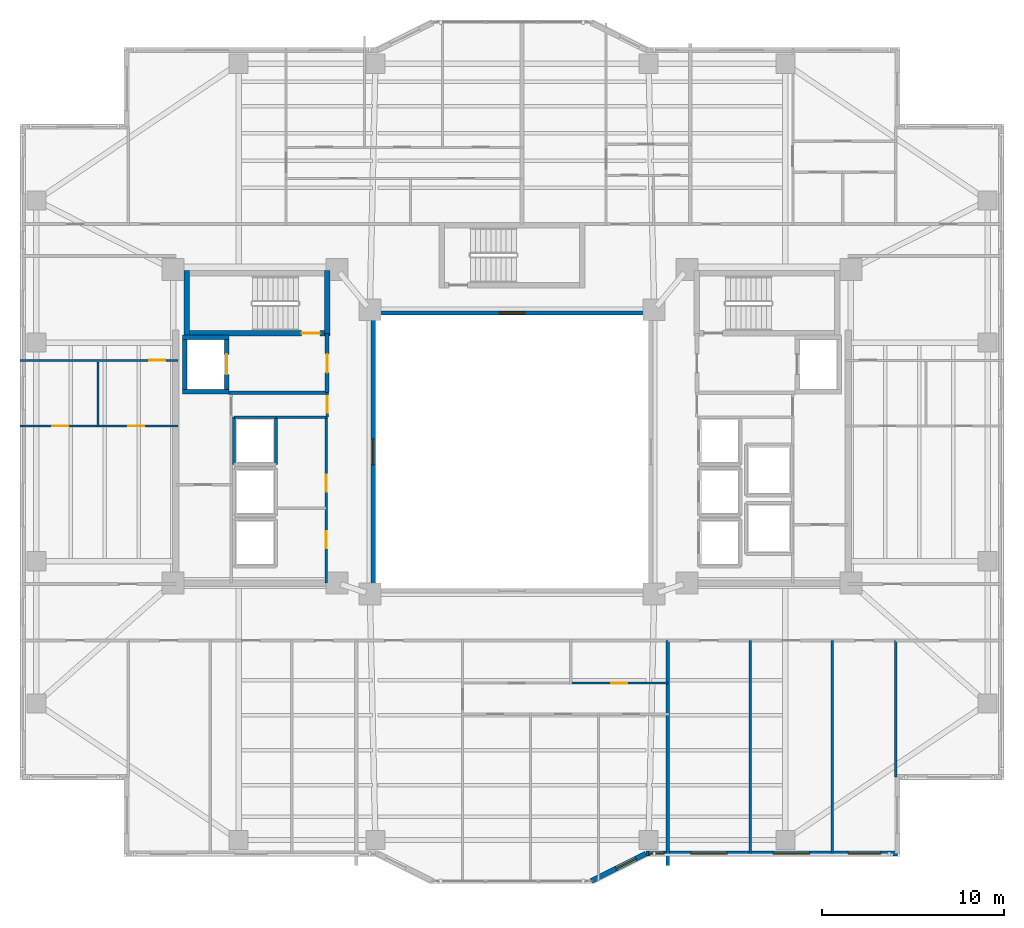
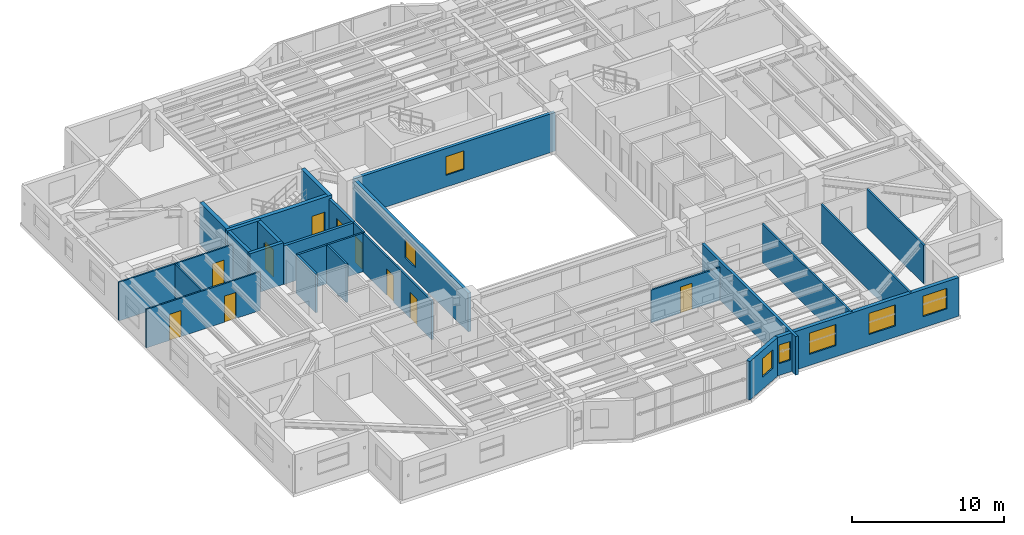
# One storey, part 7 of 18: 27 walls, 10 doors, 7 windows, 17 openings.
"""IFC4 building model written with IfcOpenShell, lengths in metres."""

from ifc_helpers import new_model, si_unit, direction, frame, frame_2d, origin, place, context, subcontext, project, spatial, rectangle, extrude, material, layer, layer_set, type_object, element, fill, save


model = new_model("IFC4")

# Units and contexts
model_context = context("Model", 3, precision=1e-05, world=origin(), true_north=direction((0.0, 1.0)))
body_context = subcontext(model_context, "Body", "Model", "MODEL_VIEW")
ifc_project = project(units=[si_unit("LENGTHUNIT", "METRE"), si_unit("AREAUNIT", "SQUARE_METRE"), si_unit("VOLUMEUNIT", "CUBIC_METRE"), si_unit("PLANEANGLEUNIT", "RADIAN"), si_unit("MASSUNIT", "GRAM", prefix="KILO")], contexts=[model_context])

# Site, building, storey
site_placement = place(None, origin())
site = spatial("IfcSite", under=ifc_project, at=site_placement, CompositionType="ELEMENT")
building_placement = place(site_placement, origin())
building = spatial("IfcBuilding", under=site, at=building_placement, Name="Tarnavaz Court Tower", CompositionType="ELEMENT")
storey_placement = place(building_placement, frame((0.0, 0.0, 95.050048828125)))
storey = spatial("IfcBuildingStorey", under=building, at=storey_placement, Name="L25", CompositionType="ELEMENT", Elevation=95.050048828125)

# Wall
ifc_material_1 = material(Name="Concrete C60/75", Category="concrete")
ifc_layer_1 = layer(ifc_material_1, 0.25)
ifc_layer_set_1 = layer_set([ifc_layer_1], Name="Concrete C60/75")
wall_type_1 = type_object("IfcWallType", Name="WL-CORE-250-C60", PredefinedType="SHEAR", material=ifc_layer_set_1)
wall_1_placement = place(storey_placement, frame((-17.949951171875, 3.175048828125, 0.0), z_axis=(0.0, 0.0, 1.0), x_axis=(0.0, 1.0, 0.0)))
element("IfcWall", 1, at=wall_1_placement, inside=storey, type_object=wall_type_1, Name="L25 Lift FL-W1 Shaft Wall 017", PredefinedType="SHEAR", context=body_context, shape_type="SweptSolid", body=[
    extrude(rectangle(XDim=3.25, YDim=0.25, at=frame_2d((1.625, 0.0))), origin(), (0.0, 0.0, 1.0), 3.349853515625),
])

# Wall, opening, door
wall_2_placement = place(storey_placement, frame((-15.64990234375, 3.175048828125, 0.0), z_axis=(0.0, 0.0, 1.0), x_axis=(0.0, 1.0, 0.0)))
wall_2 = element("IfcWall", 2, at=wall_2_placement, inside=storey, type_object=wall_type_1, Name="L25 Lift FL-W1 Shaft Wall 018", PredefinedType="SHEAR", context=body_context, shape_type="SweptSolid", body=[
    extrude(rectangle(XDim=3.25, YDim=0.25, at=frame_2d((1.625, 0.0))), origin(), (0.0, 0.0, 1.0), 3.349853515625),
])
opening_1_placement = place(wall_2_placement, frame((1.074951171875, 0.0, 0.0)))
opening_1 = element("IfcOpeningElement", 3, at=opening_1_placement, cuts=wall_2, Name="Opening LD1", PredefinedType="OPENING", context=body_context, shape_type="SweptSolid", body=[
    extrude(rectangle(XDim=1.10009765625, YDim=2.14990234375, at=frame_2d((0.550048828125, 1.074951171875))), frame((0.0, 0.135009765625, 0.0), z_axis=(0.0, -1.0, 0.0), x_axis=(1.0, 0.0, 0.0)), (0.0, 0.0, 1.0), 0.27001953125),
])
ifc_material_2 = material(Name="Stainless Steel", Category="steel")
door_type_1 = type_object("IfcDoorType", Name="DR-LD-1100", OperationType="NOTDEFINED", PredefinedType="DOOR", material=ifc_material_2)
door_1_placement = place(opening_1_placement, origin())
door_1 = element("IfcDoor", 4, at=door_1_placement, inside=storey, type_object=door_type_1, Name="L25 Lift Landing Door LD-FL-W1", OperationType="SLIDING_TO_LEFT", OverallHeight=2.14990234375, OverallWidth=1.10009765625, PredefinedType="DOOR", context=body_context, shape_type="SweptSolid", body=[
    extrude(rectangle(XDim=1.10009765625, YDim=2.14990234375, at=frame_2d((0.550048828125, 1.074951171875))), frame((0.0, 0.02490234375, 0.0), z_axis=(0.0, -1.0, 0.0), x_axis=(1.0, 0.0, 0.0)), (0.0, 0.0, 1.0), 0.050048828125),
])
fill(opening_1, door_1)

# Walls
for number, where, z_axis, x_axis, name in (
    (5, (-18.074951171875, 3.300048828125, 0.0), (0.0, 0.0, 1.0), (1.0, 0.0, 0.0), "L25 Lift FL-W1 Shaft Wall 019"),
    (6, (-18.074951171875, 6.300048828125, 0.0), (0.0, 0.0, 1.0), (1.0, 0.0, 0.0), "L25 Lift FL-W1 Shaft Wall 020"),
):
    element("IfcWall", number, at=place(storey_placement, frame(where, z_axis=z_axis, x_axis=x_axis)), inside=storey, type_object=wall_type_1, Name=name, PredefinedType="SHEAR", context=body_context, shape_type="SweptSolid", body=[
        extrude(rectangle(XDim=2.550048828125, YDim=0.25, at=frame_2d((1.27490234375, 0.0))), origin(), (0.0, 0.0, 1.0), 3.349853515625),
    ])

# Wall, opening, door
ifc_layer_2 = layer(ifc_material_1, 0.300048828125)
ifc_layer_set_2 = layer_set([ifc_layer_2], Name="Concrete C60/75")
wall_type_2 = type_object("IfcWallType", Name="WL-CORE-300-C60", PredefinedType="SHEAR", material=ifc_layer_set_2)
wall_3_placement = place(storey_placement, frame((-18.0, 6.5, 0.0), z_axis=(0.0, 0.0, 1.0), x_axis=(1.0, 0.0, 0.0)))
wall_3 = element("IfcWall", 7, at=wall_3_placement, inside=storey, type_object=wall_type_2, Name="L25 West Stair Core Wall 002", PredefinedType="SHEAR", context=body_context, shape_type="SweptSolid", body=[
    extrude(rectangle(XDim=8.0, YDim=0.300048828125, at=frame_2d((4.0, 0.0))), origin(), (0.0, 0.0, 1.0), 3.349853515625),
])
opening_2_placement = place(wall_3_placement, frame((6.449951171875, 0.0, 0.0)))
opening_2 = element("IfcOpeningElement", 8, at=opening_2_placement, cuts=wall_3, Name="Opening D01", PredefinedType="OPENING", context=body_context, shape_type="SweptSolid", body=[
    extrude(rectangle(XDim=1.0, YDim=2.14990234375, at=frame_2d((0.5, 1.074951171875))), frame((0.0, 0.159912109375, 0.0), z_axis=(0.0, -1.0, 0.0), x_axis=(1.0, 0.0, 0.0)), (0.0, 0.0, 1.0), 0.320068359375),
])
ifc_material_3 = material(Name="Fire-Rated Hardwood Timber Core", Category="wood")
door_type_2 = type_object("IfcDoorType", Name="DR-FD90-1000", OperationType="NOTDEFINED", PredefinedType="DOOR", material=ifc_material_3)
door_2_placement = place(opening_2_placement, origin())
door_2 = element("IfcDoor", 9, at=door_2_placement, inside=storey, type_object=door_type_2, Name="L25 Stair ST-W1 Exit Door", OperationType="SINGLE_SWING_LEFT", OverallHeight=2.14990234375, OverallWidth=1.0, PredefinedType="DOOR", context=body_context, shape_type="SweptSolid", body=[
    extrude(rectangle(XDim=1.0, YDim=2.14990234375, at=frame_2d((0.5, 1.074951171875))), frame((0.0, 0.02490234375, 0.0), z_axis=(0.0, -1.0, 0.0), x_axis=(1.0, 0.0, 0.0)), (0.0, 0.0, 1.0), 0.050048828125),
])
fill(opening_2, door_2)

# Walls
for number, where, z_axis, x_axis, name in (
    (10, (-17.85009765625, 6.35009765625, 0.0), (0.0, 0.0, 1.0), (0.0, 1.0, 0.0), "L25 West Stair Core Wall 003"),
    (11, (-10.14990234375, 6.35009765625, 0.0), (0.0, 0.0, 1.0), (0.0, 1.0, 0.0), "L25 West Stair Core Wall 004"),
):
    element("IfcWall", number, at=place(storey_placement, frame(where, z_axis=z_axis, x_axis=x_axis)), inside=storey, type_object=wall_type_2, Name=name, PredefinedType="SHEAR", context=body_context, shape_type="SweptSolid", body=[
        extrude(rectangle(XDim=3.58984375, YDim=0.300048828125, at=frame_2d((1.794921875, 0.0))), origin(), (0.0, 0.0, 1.0), 3.349853515625),
    ])

# Wall, openings, windows
ifc_material_4 = material(Name="Precast Concrete C40/50", Category="concrete")
ifc_layer_3 = layer(ifc_material_4, 0.280029296875)
ifc_layer_set_3 = layer_set([ifc_layer_3], Name="Precast Concrete C40/50")
wall_type_3 = type_object("IfcWallType", Name="WL-EXT-280", PredefinedType="SOLIDWALL", material=ifc_layer_set_3)
wall_4_placement = place(storey_placement, frame((21.14990234375, -22.050048828125, 0.0), z_axis=(0.0, 0.0, 1.0), x_axis=(-1.0, 0.0, 0.0)))
wall_4 = element("IfcWall", 12, at=wall_4_placement, inside=storey, type_object=wall_type_3, Name="L25 Exterior Terracotta Facade Wall 15", PredefinedType="SOLIDWALL", context=body_context, shape_type="SweptSolid", body=[
    extrude(rectangle(XDim=13.7998046875, YDim=0.280029296875, at=frame_2d((6.89990234375, 0.0))), origin(), (0.0, 0.0, 1.0), 3.099853515625),
])
opening_3_placement = place(wall_4_placement, frame((0.906494140625, 0.0, 0.89990234375)))
opening_3 = element("IfcOpeningElement", 13, at=opening_3_placement, cuts=wall_4, Name="Opening W01", PredefinedType="OPENING", context=body_context, shape_type="SweptSolid", body=[
    extrude(rectangle(XDim=1.800048828125, YDim=1.64990234375, at=frame_2d((0.89990234375, 0.824951171875))), frame((0.0, 0.14990234375, 0.0), z_axis=(0.0, -1.0, 0.0), x_axis=(1.0, 0.0, 0.0)), (0.0, 0.0, 1.0), 0.300048828125),
])
opening_4_placement = place(wall_4_placement, frame((4.821044921875, 0.0, 0.89990234375)))
opening_4 = element("IfcOpeningElement", 14, at=opening_4_placement, cuts=wall_4, Name="Opening W08", PredefinedType="OPENING", context=body_context, shape_type="SweptSolid", body=[
    extrude(rectangle(XDim=2.0, YDim=1.699951171875, at=frame_2d((1.0, 0.85009765625))), frame((0.0, 0.14990234375, 0.0), z_axis=(0.0, -1.0, 0.0), x_axis=(1.0, 0.0, 0.0)), (0.0, 0.0, 1.0), 0.300048828125),
])
opening_5_placement = place(wall_4_placement, frame((9.33740234375, 0.0, 0.89990234375)))
opening_5 = element("IfcOpeningElement", 15, at=opening_5_placement, cuts=wall_4, Name="Opening W08", PredefinedType="OPENING", context=body_context, shape_type="SweptSolid", body=[
    extrude(rectangle(XDim=2.0, YDim=1.699951171875, at=frame_2d((1.0, 0.85009765625))), frame((0.0, 0.14990234375, 0.0), z_axis=(0.0, -1.0, 0.0), x_axis=(1.0, 0.0, 0.0)), (0.0, 0.0, 1.0), 0.300048828125),
])
opening_6_placement = place(wall_4_placement, frame((12.802978515625, 0.0, 0.949951171875)))
opening_6 = element("IfcOpeningElement", 16, at=opening_6_placement, cuts=wall_4, Name="Opening W15", PredefinedType="OPENING", context=body_context, shape_type="SweptSolid", body=[
    extrude(rectangle(XDim=0.85009765625, YDim=1.5, at=frame_2d((0.425048828125, 0.75))), frame((0.0, 0.14990234375, 0.0), z_axis=(0.0, -1.0, 0.0), x_axis=(1.0, 0.0, 0.0)), (0.0, 0.0, 1.0), 0.300048828125),
])
ifc_material_5 = material(Name="Double-Glazed Solar Low-E Glass", Category="glass")
window_type_1 = type_object("IfcWindowType", Name="WN-APT-1800", PartitioningType="DOUBLE_PANEL_VERTICAL", PredefinedType="WINDOW", material=ifc_material_5)
window_1_placement = place(opening_3_placement, origin())
window_1 = element("IfcWindow", 17, at=window_1_placement, inside=storey, type_object=window_type_1, Name="L25 Resident Focus Seminar Room Window", OverallHeight=1.64990234375, OverallWidth=1.800048828125, PartitioningType="SINGLE_PANEL", PredefinedType="WINDOW", context=body_context, shape_type="SweptSolid", body=[
    extrude(rectangle(XDim=1.800048828125, YDim=1.64990234375, at=frame_2d((0.89990234375, 0.824951171875))), frame((0.0, 0.030029296875, 0.0), z_axis=(0.0, -1.0, 0.0), x_axis=(1.0, 0.0, 0.0)), (0.0, 0.0, 1.0), 0.06005859375),
])
fill(opening_3, window_1)
window_type_2 = type_object("IfcWindowType", Name="WN-APT-2000", PartitioningType="DOUBLE_PANEL_VERTICAL", PredefinedType="WINDOW", material=ifc_material_5)
window_2_placement = place(opening_4_placement, origin())
window_2 = element("IfcWindow", 18, at=window_2_placement, inside=storey, type_object=window_type_2, Name="L25 Quiet Reading Library Room Window", OverallHeight=1.699951171875, OverallWidth=2.0, PartitioningType="SINGLE_PANEL", PredefinedType="WINDOW", context=body_context, shape_type="SweptSolid", body=[
    extrude(rectangle(XDim=2.0, YDim=1.699951171875, at=frame_2d((1.0, 0.85009765625))), frame((0.0, 0.030029296875, 0.0), z_axis=(0.0, -1.0, 0.0), x_axis=(1.0, 0.0, 0.0)), (0.0, 0.0, 1.0), 0.06005859375),
])
fill(opening_4, window_2)
window_3_placement = place(opening_5_placement, origin())
window_3 = element("IfcWindow", 19, at=window_3_placement, inside=storey, type_object=window_type_2, Name="L25 Resident Co-Working Study Room Window", OverallHeight=1.699951171875, OverallWidth=2.0, PartitioningType="SINGLE_PANEL", PredefinedType="WINDOW", context=body_context, shape_type="SweptSolid", body=[
    extrude(rectangle(XDim=2.0, YDim=1.699951171875, at=frame_2d((1.0, 0.85009765625))), frame((0.0, 0.030029296875, 0.0), z_axis=(0.0, -1.0, 0.0), x_axis=(1.0, 0.0, 0.0)), (0.0, 0.0, 1.0), 0.06005859375),
])
fill(opening_5, window_3)
window_type_3 = type_object("IfcWindowType", Name="WN-APT-850", PartitioningType="SINGLE_PANEL", PredefinedType="WINDOW", material=ifc_material_5)
window_4_placement = place(opening_6_placement, origin())
window_4 = element("IfcWindow", 20, at=window_4_placement, inside=storey, type_object=window_type_3, Name="L25 Flat 04 Bedroom 3 Window", OverallHeight=1.5, OverallWidth=0.85009765625, PartitioningType="SINGLE_PANEL", PredefinedType="WINDOW", context=body_context, shape_type="SweptSolid", body=[
    extrude(rectangle(XDim=0.85009765625, YDim=1.5, at=frame_2d((0.425048828125, 0.75))), frame((0.0, 0.030029296875, 0.0), z_axis=(0.0, -1.0, 0.0), x_axis=(1.0, 0.0, 0.0)), (0.0, 0.0, 1.0), 0.06005859375),
])
fill(opening_6, window_4)

# Wall, opening, window
wall_5_placement = place(storey_placement, frame((7.35009765625, -22.050048828125, 0.0), z_axis=(0.0, 0.0, 1.0), x_axis=(-0.894427191, -0.4472135955, 0.0)))
wall_5 = element("IfcWall", 21, at=wall_5_placement, inside=storey, type_object=wall_type_3, Name="L25 Exterior Terracotta Facade Wall 16", PredefinedType="SOLIDWALL", context=body_context, shape_type="SweptSolid", body=[
    extrude(rectangle(XDim=3.35400390625, YDim=0.280029296875, at=frame_2d((1.677001953125, 0.0))), origin(), (0.0, 0.0, 1.0), 3.099853515625),
])
opening_7_placement = place(wall_5_placement, frame((0.62158203125, 0.0, 0.949951171875)))
opening_7 = element("IfcOpeningElement", 22, at=opening_7_placement, cuts=wall_5, Name="Opening W05", PredefinedType="OPENING", context=body_context, shape_type="SweptSolid", body=[
    extrude(rectangle(XDim=1.199951171875, YDim=1.5, at=frame_2d((0.60009765625, 0.75))), frame((0.0, 0.14990234375, 0.0), z_axis=(0.0, -1.0, 0.0), x_axis=(1.0, 0.0, 0.0)), (0.0, 0.0, 1.0), 0.300048828125),
])
window_type_4 = type_object("IfcWindowType", Name="WN-APT-1200", PartitioningType="SINGLE_PANEL", PredefinedType="WINDOW", material=ifc_material_5)
window_5_placement = place(opening_7_placement, origin())
window_5 = element("IfcWindow", 23, at=window_5_placement, inside=storey, type_object=window_type_4, Name="L25 Flat 04 Bedroom 3 Window", OverallHeight=1.5, OverallWidth=1.199951171875, PartitioningType="SINGLE_PANEL", PredefinedType="WINDOW", context=body_context, shape_type="SweptSolid", body=[
    extrude(rectangle(XDim=1.199951171875, YDim=1.5, at=frame_2d((0.60009765625, 0.75))), frame((0.0, 0.030029296875, 0.0), z_axis=(0.0, -1.0, 0.0), x_axis=(1.0, 0.0, 0.0)), (0.0, 0.0, 1.0), 0.06005859375),
])
fill(opening_7, window_5)

# Wall
ifc_material_6 = material(Name="Autoclaved Aerated Concrete Blockwork", Category="masonry")
ifc_layer_4 = layer(ifc_material_6, 0.199951171875)
ifc_layer_set_4 = layer_set([ifc_layer_4], Name="Autoclaved Aerated Concrete Blockwork")
wall_type_4 = type_object("IfcWallType", Name="WL-FIRE-200", PredefinedType="SOLIDWALL", material=ifc_layer_set_4)
wall_6_placement = place(storey_placement, frame((-15.550048828125, 3.25, 0.0), z_axis=(0.0, 0.0, 1.0), x_axis=(1.0, 0.0, 0.0)))
element("IfcWall", 24, at=wall_6_placement, inside=storey, type_object=wall_type_4, Name="L25 West Firefighting Lobby Wall 013", PredefinedType="SOLIDWALL", context=body_context, shape_type="SweptSolid", body=[
    extrude(rectangle(XDim=5.400146484375, YDim=0.199951171875, at=frame_2d((2.7001953125, 0.0))), origin(), (0.0, 0.0, 1.0), 3.099853515625),
])

# Wall, opening, door
wall_7_placement = place(storey_placement, frame((-10.14990234375, 3.25, 0.0), z_axis=(0.0, 0.0, 1.0), x_axis=(0.0, 1.0, 0.0)))
wall_7 = element("IfcWall", 25, at=wall_7_placement, inside=storey, type_object=wall_type_4, Name="L25 West Firefighting Lobby Wall 014", PredefinedType="SOLIDWALL", context=body_context, shape_type="SweptSolid", body=[
    extrude(rectangle(XDim=3.25, YDim=0.199951171875, at=frame_2d((1.625, 0.0))), origin(), (0.0, 0.0, 1.0), 3.099853515625),
])
opening_8_placement = place(wall_7_placement, frame((1.10009765625, 0.0, 0.0)))
opening_8 = element("IfcOpeningElement", 26, at=opening_8_placement, cuts=wall_7, Name="Opening D05", PredefinedType="OPENING", context=body_context, shape_type="SweptSolid", body=[
    extrude(rectangle(XDim=1.02001953125, YDim=2.14990234375, at=frame_2d((0.510009765625, 1.074951171875))), frame((0.0, 0.10986328125, 0.0), z_axis=(0.0, -1.0, 0.0), x_axis=(1.0, 0.0, 0.0)), (0.0, 0.0, 1.0), 0.219970703125),
])
door_type_3 = type_object("IfcDoorType", Name="DR-FD60-1000", OperationType="NOTDEFINED", PredefinedType="DOOR", material=ifc_material_3)
door_3_placement = place(opening_8_placement, origin())
door_3 = element("IfcDoor", 27, at=door_3_placement, inside=storey, type_object=door_type_3, Name="L25 West Firefighting Lobby Door", OperationType="SINGLE_SWING_RIGHT", OverallHeight=2.14990234375, OverallWidth=1.02001953125, PredefinedType="DOOR", context=body_context, shape_type="SweptSolid", body=[
    extrude(rectangle(XDim=1.02001953125, YDim=2.14990234375, at=frame_2d((0.510009765625, 1.074951171875))), frame((0.0, 0.02490234375, 0.0), z_axis=(0.0, -1.0, 0.0), x_axis=(1.0, 0.0, 0.0)), (0.0, 0.0, 1.0), 0.050048828125),
])
fill(opening_8, door_3)

# Wall
wall_8_placement = place(storey_placement, frame((8.550048828125, -22.7041015625, 0.0), z_axis=(0.0, 0.0, 1.0), x_axis=(0.0, 1.0, 0.0)))
element("IfcWall", 28, at=wall_8_placement, inside=storey, type_object=wall_type_4, Name="L25 Party Wall 099", PredefinedType="SOLIDWALL", context=body_context, shape_type="SweptSolid", body=[
    extrude(rectangle(XDim=12.35400390625, YDim=0.199951171875, at=frame_2d((6.177001953125, 0.0))), origin(), (0.0, 0.0, 1.0), 3.099853515625),
])

# Wall, opening, door
ifc_material_7 = material(Name="Moisture-Resistant Gypsum Board Partition", Category="masonry")
ifc_layer_5 = layer(ifc_material_7, 0.1201171875)
ifc_layer_set_5 = layer_set([ifc_layer_5], Name="Moisture-Resistant Gypsum Board Partition")
wall_type_5 = type_object("IfcWallType", Name="WL-PART-120", PredefinedType="PARTITIONING", material=ifc_layer_set_5)
wall_9_placement = place(storey_placement, frame((3.218994140625, -12.68994140625, 0.0), z_axis=(0.0, 0.0, 1.0), x_axis=(1.0, 0.0, 0.0)))
wall_9 = element("IfcWall", 29, at=wall_9_placement, inside=storey, type_object=wall_type_5, Name="L25 Interior Partition 103", PredefinedType="PARTITIONING", context=body_context, shape_type="SweptSolid", body=[
    extrude(rectangle(XDim=5.3310546875, YDim=0.1201171875, at=frame_2d((2.66552734375, 0.0))), origin(), (0.0, 0.0, 1.0), 2.635009765625),
])
opening_9_placement = place(wall_9_placement, frame((2.22607421875, 0.0, 0.0)))
opening_9 = element("IfcOpeningElement", 30, at=opening_9_placement, cuts=wall_9, Name="Opening D14", PredefinedType="OPENING", context=body_context, shape_type="SweptSolid", body=[
    extrude(rectangle(XDim=0.8798828125, YDim=2.10009765625, at=frame_2d((0.43994140625, 1.050048828125))), frame((0.0, 0.070068359375, 0.0), z_axis=(0.0, -1.0, 0.0), x_axis=(1.0, 0.0, 0.0)), (0.0, 0.0, 1.0), 0.14013671875),
])
ifc_material_8 = material(Name="Engineered Oak Timber", Category="wood")
door_type_4 = type_object("IfcDoorType", Name="DR-INT-900", OperationType="NOTDEFINED", PredefinedType="DOOR", material=ifc_material_8)
door_4_placement = place(opening_9_placement, origin())
door_4 = element("IfcDoor", 31, at=door_4_placement, inside=storey, type_object=door_type_4, Name="L25 Flat 04 Bathroom Door", OperationType="SINGLE_SWING_LEFT", OverallHeight=2.10009765625, OverallWidth=0.8798828125, PredefinedType="DOOR", context=body_context, shape_type="SweptSolid", body=[
    extrude(rectangle(XDim=0.8798828125, YDim=2.10009765625, at=frame_2d((0.43994140625, 1.050048828125))), frame((0.0, 0.02490234375, 0.0), z_axis=(0.0, -1.0, 0.0), x_axis=(1.0, 0.0, 0.0)), (0.0, 0.0, 1.0), 0.050048828125),
])
fill(opening_9, door_4)

# Wall, openings, doors
wall_10_placement = place(storey_placement, frame((-27.0, 1.419921875, 0.0), z_axis=(0.0, 0.0, 1.0), x_axis=(1.0, 0.0, 0.0)))
wall_10 = element("IfcWall", 32, at=wall_10_placement, inside=storey, type_object=wall_type_5, Name="L25 Interior Partition 120", PredefinedType="PARTITIONING", context=body_context, shape_type="SweptSolid", body=[
    extrude(rectangle(XDim=8.669921875, YDim=0.1201171875, at=frame_2d((4.3349609375, 0.0))), origin(), (0.0, 0.0, 1.0), 3.099853515625),
])
opening_10_placement = place(wall_10_placement, frame((1.762939453125, 0.0, 0.0)))
opening_10 = element("IfcOpeningElement", 33, at=opening_10_placement, cuts=wall_10, Name="Opening D14", PredefinedType="OPENING", context=body_context, shape_type="SweptSolid", body=[
    extrude(rectangle(XDim=0.8798828125, YDim=2.10009765625, at=frame_2d((0.43994140625, 1.050048828125))), frame((0.0, 0.070068359375, 0.0), z_axis=(0.0, -1.0, 0.0), x_axis=(1.0, 0.0, 0.0)), (0.0, 0.0, 1.0), 0.14013671875),
])
opening_11_placement = place(wall_10_placement, frame((5.927978515625, 0.0, 0.0)))
opening_11 = element("IfcOpeningElement", 34, at=opening_11_placement, cuts=wall_10, Name="Opening D14", PredefinedType="OPENING", context=body_context, shape_type="SweptSolid", body=[
    extrude(rectangle(XDim=0.8798828125, YDim=2.10009765625, at=frame_2d((0.43994140625, 1.050048828125))), frame((0.0, 0.070068359375, 0.0), z_axis=(0.0, -1.0, 0.0), x_axis=(1.0, 0.0, 0.0)), (0.0, 0.0, 1.0), 0.14013671875),
])
door_5_placement = place(opening_10_placement, origin())
door_5 = element("IfcDoor", 35, at=door_5_placement, inside=storey, type_object=door_type_4, Name="L25 Flat 05 Kitchen Door", OperationType="SINGLE_SWING_RIGHT", OverallHeight=2.10009765625, OverallWidth=0.8798828125, PredefinedType="DOOR", context=body_context, shape_type="SweptSolid", body=[
    extrude(rectangle(XDim=0.8798828125, YDim=2.10009765625, at=frame_2d((0.43994140625, 1.050048828125))), frame((0.0, 0.02490234375, 0.0), z_axis=(0.0, -1.0, 0.0), x_axis=(1.0, 0.0, 0.0)), (0.0, 0.0, 1.0), 0.050048828125),
])
fill(opening_10, door_5)
door_6_placement = place(opening_11_placement, origin())
door_6 = element("IfcDoor", 36, at=door_6_placement, inside=storey, type_object=door_type_4, Name="L25 Flat 05 Bathroom Door", OperationType="SINGLE_SWING_LEFT", OverallHeight=2.10009765625, OverallWidth=0.8798828125, PredefinedType="DOOR", context=body_context, shape_type="SweptSolid", body=[
    extrude(rectangle(XDim=0.8798828125, YDim=2.10009765625, at=frame_2d((0.43994140625, 1.050048828125))), frame((0.0, 0.02490234375, 0.0), z_axis=(0.0, -1.0, 0.0), x_axis=(1.0, 0.0, 0.0)), (0.0, 0.0, 1.0), 0.050048828125),
])
fill(opening_11, door_6)

# Wall, opening, door
wall_11_placement = place(storey_placement, frame((-27.0, 5.02001953125, 0.0), z_axis=(0.0, 0.0, 1.0), x_axis=(1.0, 0.0, 0.0)))
wall_11 = element("IfcWall", 37, at=wall_11_placement, inside=storey, type_object=wall_type_5, Name="L25 Interior Partition 121", PredefinedType="PARTITIONING", context=body_context, shape_type="SweptSolid", body=[
    extrude(rectangle(XDim=8.669921875, YDim=0.1201171875, at=frame_2d((4.3349609375, 0.0))), origin(), (0.0, 0.0, 1.0), 3.099853515625),
])
opening_12_placement = place(wall_11_placement, frame((7.10009765625, 0.0, 0.0)))
opening_12 = element("IfcOpeningElement", 38, at=opening_12_placement, cuts=wall_11, Name="Opening D14", PredefinedType="OPENING", context=body_context, shape_type="SweptSolid", body=[
    extrude(rectangle(XDim=0.8798828125, YDim=2.10009765625, at=frame_2d((0.43994140625, 1.050048828125))), frame((0.0, 0.070068359375, 0.0), z_axis=(0.0, -1.0, 0.0), x_axis=(1.0, 0.0, 0.0)), (0.0, 0.0, 1.0), 0.14013671875),
])
door_7_placement = place(opening_12_placement, origin())
door_7 = element("IfcDoor", 39, at=door_7_placement, inside=storey, type_object=door_type_4, Name="L25 Flat 05 Study Door", OperationType="SINGLE_SWING_RIGHT", OverallHeight=2.10009765625, OverallWidth=0.8798828125, PredefinedType="DOOR", context=body_context, shape_type="SweptSolid", body=[
    extrude(rectangle(XDim=0.8798828125, YDim=2.10009765625, at=frame_2d((0.43994140625, 1.050048828125))), frame((0.0, 0.02490234375, 0.0), z_axis=(0.0, -1.0, 0.0), x_axis=(1.0, 0.0, 0.0)), (0.0, 0.0, 1.0), 0.050048828125),
])
fill(opening_12, door_7)

# Walls
wall_12_placement = place(storey_placement, frame((-22.715087890625, 1.360107421875, 0.0), z_axis=(0.0, 0.0, 1.0), x_axis=(0.0, 1.0, 0.0)))
element("IfcWall", 40, at=wall_12_placement, inside=storey, type_object=wall_type_5, Name="L25 Interior Partition 122", PredefinedType="PARTITIONING", context=body_context, shape_type="SweptSolid", body=[
    extrude(rectangle(XDim=3.579833984375, YDim=0.1201171875, at=frame_2d((1.7900390625, 0.0))), origin(), (0.0, 0.0, 1.0), 3.099853515625),
])
ifc_material_9 = material(Name="Gypsum Plasterboard Acoustic Partition", Category="masonry")
ifc_layer_6 = layer(ifc_material_9, 0.139892578125)
ifc_layer_set_6 = layer_set([ifc_layer_6], Name="Gypsum Plasterboard Acoustic Partition")
wall_type_6 = type_object("IfcWallType", Name="WL-PART-150", PredefinedType="PARTITIONING", material=ifc_layer_set_6)
wall_13_placement = place(storey_placement, frame((-12.949951171875, 1.89990234375, 0.0), z_axis=(0.0, 0.0, 1.0), x_axis=(1.0, 0.0, 0.0)))
element("IfcWall", 41, at=wall_13_placement, inside=storey, type_object=wall_type_6, Name="L25 Interior Partition 061", PredefinedType="PARTITIONING", context=body_context, shape_type="SweptSolid", body=[
    extrude(rectangle(XDim=2.800048828125, YDim=0.139892578125, at=frame_2d((1.39990234375, 0.0))), origin(), (0.0, 0.0, 1.0), 3.099853515625),
])

# Wall, opening, door
wall_14_placement = place(storey_placement, frame((-10.14990234375, 1.919921875, 0.0), z_axis=(0.0, 0.0, 1.0), x_axis=(0.0, 1.0, 0.0)))
wall_14 = element("IfcWall", 42, at=wall_14_placement, inside=storey, type_object=wall_type_6, Name="L25 Interior Partition 062", PredefinedType="PARTITIONING", context=body_context, shape_type="SweptSolid", body=[
    extrude(rectangle(XDim=1.330078125, YDim=0.139892578125, at=frame_2d((0.6650390625, 0.0))), origin(), (0.0, 0.0, 1.0), 3.099853515625),
])
opening_13_placement = place(wall_14_placement, frame((0.219970703125, 0.0, 0.0)))
opening_13 = element("IfcOpeningElement", 43, at=opening_13_placement, cuts=wall_14, Name="Opening D09", PredefinedType="OPENING", context=body_context, shape_type="SweptSolid", body=[
    extrude(rectangle(XDim=0.89990234375, YDim=2.080078125, at=frame_2d((0.449951171875, 1.0400390625))), frame((0.0, 0.079833984375, 0.0), z_axis=(0.0, -1.0, 0.0), x_axis=(1.0, 0.0, 0.0)), (0.0, 0.0, 1.0), 0.159912109375),
])
door_type_5 = type_object("IfcDoorType", Name="DR-FD30-900", OperationType="NOTDEFINED", PredefinedType="DOOR", material=ifc_material_3)
door_8_placement = place(opening_13_placement, origin())
door_8 = element("IfcDoor", 44, at=door_8_placement, inside=storey, type_object=door_type_5, Name="L25 West Core Service Lobby Door", OperationType="SINGLE_SWING_LEFT", OverallHeight=2.080078125, OverallWidth=0.89990234375, PredefinedType="DOOR", context=body_context, shape_type="SweptSolid", body=[
    extrude(rectangle(XDim=0.89990234375, YDim=2.080078125, at=frame_2d((0.449951171875, 1.0400390625))), frame((0.0, 0.02490234375, 0.0), z_axis=(0.0, -1.0, 0.0), x_axis=(1.0, 0.0, 0.0)), (0.0, 0.0, 1.0), 0.050048828125),
])
fill(opening_13, door_8)

# Wall, openings, doors
wall_15_placement = place(storey_placement, frame((-10.199951171875, -7.199951171875, 0.0), z_axis=(0.0, 0.0, 1.0), x_axis=(0.0, 1.0, 0.0)))
wall_15 = element("IfcWall", 45, at=wall_15_placement, inside=storey, type_object=wall_type_6, Name="L25 West Reclaimed Core Wall 065", PredefinedType="PARTITIONING", context=body_context, shape_type="SweptSolid", body=[
    extrude(rectangle(XDim=9.119873046875, YDim=0.139892578125, at=frame_2d((4.56005859375, 0.0))), origin(), (0.0, 0.0, 1.0), 3.099853515625),
])
opening_14_placement = place(wall_15_placement, frame((1.89990234375, 0.0, 0.0)))
opening_14 = element("IfcOpeningElement", 46, at=opening_14_placement, cuts=wall_15, Name="Opening D08", PredefinedType="OPENING", context=body_context, shape_type="SweptSolid", body=[
    extrude(rectangle(XDim=0.949951171875, YDim=2.1201171875, at=frame_2d((0.47509765625, 1.06005859375))), frame((0.0, 0.079833984375, 0.0), z_axis=(0.0, -1.0, 0.0), x_axis=(1.0, 0.0, 0.0)), (0.0, 0.0, 1.0), 0.159912109375),
])
opening_15_placement = place(wall_15_placement, frame((5.0, 0.0, 0.0)))
opening_15 = element("IfcOpeningElement", 47, at=opening_15_placement, cuts=wall_15, Name="Opening D08", PredefinedType="OPENING", context=body_context, shape_type="SweptSolid", body=[
    extrude(rectangle(XDim=0.949951171875, YDim=2.1201171875, at=frame_2d((0.47509765625, 1.06005859375))), frame((0.0, 0.079833984375, 0.0), z_axis=(0.0, -1.0, 0.0), x_axis=(1.0, 0.0, 0.0)), (0.0, 0.0, 1.0), 0.159912109375),
])
door_type_6 = type_object("IfcDoorType", Name="DR-FD30-950", OperationType="NOTDEFINED", PredefinedType="DOOR", material=ifc_material_3)
door_9_placement = place(opening_14_placement, origin())
door_9 = element("IfcDoor", 48, at=door_9_placement, inside=storey, type_object=door_type_6, Name="L25 West Study Room Door", OperationType="SINGLE_SWING_RIGHT", OverallHeight=2.1201171875, OverallWidth=0.949951171875, PredefinedType="DOOR", context=body_context, shape_type="SweptSolid", body=[
    extrude(rectangle(XDim=0.949951171875, YDim=2.1201171875, at=frame_2d((0.47509765625, 1.06005859375))), frame((0.0, 0.02490234375, 0.0), z_axis=(0.0, -1.0, 0.0), x_axis=(1.0, 0.0, 0.0)), (0.0, 0.0, 1.0), 0.050048828125),
])
fill(opening_14, door_9)
door_10_placement = place(opening_15_placement, origin())
door_10 = element("IfcDoor", 49, at=door_10_placement, inside=storey, type_object=door_type_6, Name="L25 West Laundry Room Door", OperationType="SINGLE_SWING_LEFT", OverallHeight=2.1201171875, OverallWidth=0.949951171875, PredefinedType="DOOR", context=body_context, shape_type="SweptSolid", body=[
    extrude(rectangle(XDim=0.949951171875, YDim=2.1201171875, at=frame_2d((0.47509765625, 1.06005859375))), frame((0.0, 0.02490234375, 0.0), z_axis=(0.0, -1.0, 0.0), x_axis=(1.0, 0.0, 0.0)), (0.0, 0.0, 1.0), 0.050048828125),
])
fill(opening_15, door_10)

# Walls
for number, where, z_axis, x_axis, name in (
    (50, (13.08203125, -22.050048828125, 0.0), (0.0, 0.0, 1.0), (0.0, 1.0, 0.0), "L25 Interior Partition 096"),
    (51, (17.56396484375, -22.050048828125, 0.0), (0.0, 0.0, 1.0), (0.0, 1.0, 0.0), "L25 Interior Partition 097"),
):
    element("IfcWall", number, at=place(storey_placement, frame(where, z_axis=z_axis, x_axis=x_axis)), inside=storey, type_object=wall_type_6, Name=name, PredefinedType="PARTITIONING", context=body_context, shape_type="SweptSolid", body=[
        extrude(rectangle(XDim=11.699951171875, YDim=0.139892578125, at=frame_2d((5.85009765625, 0.0))), origin(), (0.0, 0.0, 1.0), 3.099853515625),
    ])
wall_16_placement = place(storey_placement, frame((21.050048828125, -17.85009765625, 0.0), z_axis=(0.0, 0.0, 1.0), x_axis=(0.0, 1.0, 0.0)))
element("IfcWall", 52, at=wall_16_placement, inside=storey, type_object=wall_type_6, Name="L25 Interior Partition 113", PredefinedType="PARTITIONING", context=body_context, shape_type="SweptSolid", body=[
    extrude(rectangle(XDim=7.5, YDim=0.139892578125, at=frame_2d((3.75, 0.0))), origin(), (0.0, 0.0, 1.0), 3.099853515625),
])
ifc_layer_7 = layer(ifc_material_6, 0.159912109375)
ifc_layer_set_7 = layer_set([ifc_layer_7], Name="Autoclaved Aerated Concrete Blockwork")
wall_type_7 = type_object("IfcWallType", Name="WL-SHAFT-150", PredefinedType="SOLIDWALL", material=ifc_layer_set_7)
for number, where, z_axis, x_axis, name in (
    (53, (-15.25, -0.699951171875, 0.0), (0.0, 0.0, 1.0), (0.0, 1.0, 0.0), "L25 Lift PL-H3 Shaft Wall 029"),
    (54, (-12.949951171875, -0.699951171875, 0.0), (0.0, 0.0, 1.0), (0.0, 1.0, 0.0), "L25 Lift PL-H3 Shaft Wall 030"),
):
    element("IfcWall", number, at=place(storey_placement, frame(where, z_axis=z_axis, x_axis=x_axis)), inside=storey, type_object=wall_type_7, Name=name, PredefinedType="SOLIDWALL", context=body_context, shape_type="SweptSolid", body=[
        extrude(rectangle(XDim=2.599853515625, YDim=0.159912109375, at=frame_2d((1.2998046875, 0.0))), origin(), (0.0, 0.0, 1.0), 3.099853515625),
    ])
wall_17_placement = place(storey_placement, frame((-15.25, 1.89990234375, 0.0), z_axis=(0.0, 0.0, 1.0), x_axis=(1.0, 0.0, 0.0)))
element("IfcWall", 55, at=wall_17_placement, inside=storey, type_object=wall_type_7, Name="L25 Lift PL-H3 Shaft Wall 032", PredefinedType="SOLIDWALL", context=body_context, shape_type="SweptSolid", body=[
    extrude(rectangle(XDim=2.300048828125, YDim=0.159912109375, at=frame_2d((1.14990234375, 0.0))), origin(), (0.0, 0.0, 1.0), 3.099853515625),
])

# Wall, opening, window
ifc_layer_8 = layer(ifc_material_4, 0.239990234375)
ifc_layer_set_8 = layer_set([ifc_layer_8], Name="Precast Concrete C40/50")
wall_type_8 = type_object("IfcWallType", Name="WL-WELL-240", PredefinedType="SOLIDWALL", material=ifc_layer_set_8)
wall_18_placement = place(storey_placement, frame((7.6201171875, 7.6201171875, 0.0), z_axis=(0.0, 0.0, 1.0), x_axis=(-1.0, 0.0, 0.0)))
wall_18 = element("IfcWall", 56, at=wall_18_placement, inside=storey, type_object=wall_type_8, Name="L25 Badgir Light-Well Exterior Wall N", PredefinedType="SOLIDWALL", context=body_context, shape_type="SweptSolid", body=[
    extrude(rectangle(XDim=15.240234375, YDim=0.239990234375, at=frame_2d((7.6201171875, 0.0))), origin(), (0.0, 0.0, 1.0), 3.099853515625),
])
opening_16_placement = place(wall_18_placement, frame((6.919921875, 0.0, 0.949951171875)))
opening_16 = element("IfcOpeningElement", 57, at=opening_16_placement, cuts=wall_18, Name="Opening W13", PredefinedType="OPENING", context=body_context, shape_type="SweptSolid", body=[
    extrude(rectangle(XDim=1.39990234375, YDim=1.5, at=frame_2d((0.699951171875, 0.75))), frame((0.0, 0.1298828125, 0.0), z_axis=(0.0, -1.0, 0.0), x_axis=(1.0, 0.0, 0.0)), (0.0, 0.0, 1.0), 0.260009765625),
])
window_type_5 = type_object("IfcWindowType", Name="WN-WEL-1400", PartitioningType="SINGLE_PANEL", PredefinedType="WINDOW", material=ifc_material_5)
window_6_placement = place(opening_16_placement, origin())
window_6 = element("IfcWindow", 58, at=window_6_placement, inside=storey, type_object=window_type_5, Name="L25 Courtyard Gallery Window N", OverallHeight=1.5, OverallWidth=1.39990234375, PartitioningType="SINGLE_PANEL", PredefinedType="WINDOW", context=body_context, shape_type="SweptSolid", body=[
    extrude(rectangle(XDim=1.39990234375, YDim=1.5, at=frame_2d((0.699951171875, 0.75))), frame((0.0, 0.030029296875, 0.0), z_axis=(0.0, -1.0, 0.0), x_axis=(1.0, 0.0, 0.0)), (0.0, 0.0, 1.0), 0.06005859375),
])
fill(opening_16, window_6)

wall_19_placement = place(storey_placement, frame((-7.6201171875, 7.6201171875, 0.0), z_axis=(0.0, 0.0, 1.0), x_axis=(0.0, -1.0, 0.0)))
wall_19 = element("IfcWall", 59, at=wall_19_placement, inside=storey, type_object=wall_type_8, Name="L25 Badgir Light-Well Exterior Wall W", PredefinedType="SOLIDWALL", context=body_context, shape_type="SweptSolid", body=[
    extrude(rectangle(XDim=15.240234375, YDim=0.239990234375, at=frame_2d((7.6201171875, 0.0))), origin(), (0.0, 0.0, 1.0), 3.099853515625),
])
opening_17_placement = place(wall_19_placement, frame((6.919921875, 0.0, 0.949951171875)))
opening_17 = element("IfcOpeningElement", 60, at=opening_17_placement, cuts=wall_19, Name="Opening W13", PredefinedType="OPENING", context=body_context, shape_type="SweptSolid", body=[
    extrude(rectangle(XDim=1.39990234375, YDim=1.5, at=frame_2d((0.699951171875, 0.75))), frame((0.0, 0.1298828125, 0.0), z_axis=(0.0, -1.0, 0.0), x_axis=(1.0, 0.0, 0.0)), (0.0, 0.0, 1.0), 0.260009765625),
])
window_7_placement = place(opening_17_placement, origin())
window_7 = element("IfcWindow", 61, at=window_7_placement, inside=storey, type_object=window_type_5, Name="L25 Courtyard Gallery Window W", OverallHeight=1.5, OverallWidth=1.39990234375, PartitioningType="SINGLE_PANEL", PredefinedType="WINDOW", context=body_context, shape_type="SweptSolid", body=[
    extrude(rectangle(XDim=1.39990234375, YDim=1.5, at=frame_2d((0.699951171875, 0.75))), frame((0.0, 0.030029296875, 0.0), z_axis=(0.0, -1.0, 0.0), x_axis=(1.0, 0.0, 0.0)), (0.0, 0.0, 1.0), 0.06005859375),
])
fill(opening_17, window_7)

save(model, "model.ifc")
